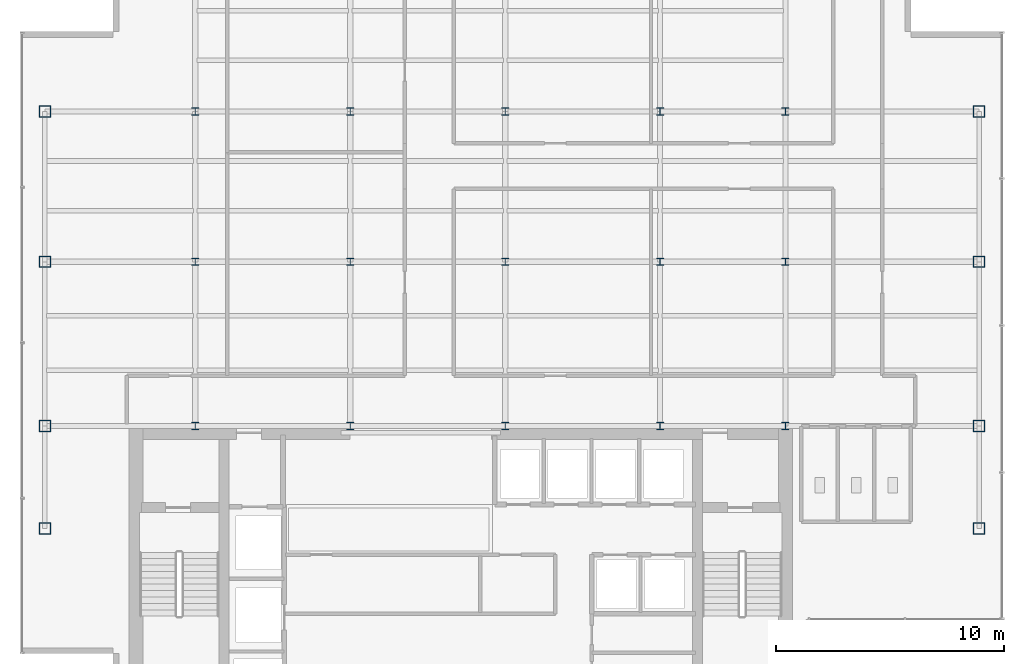
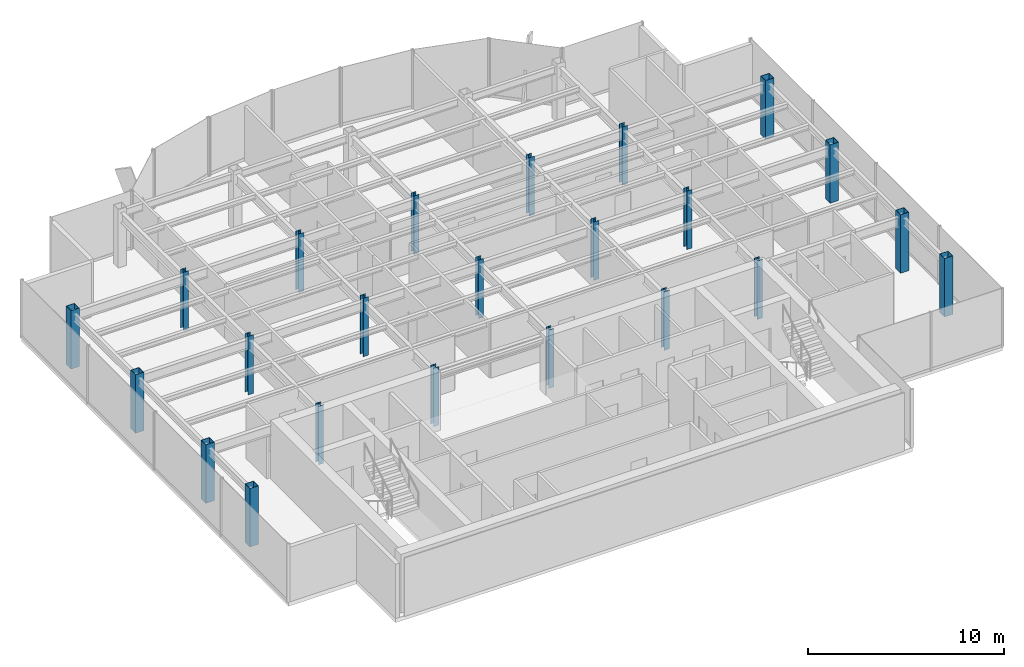
# One storey, part 1 of 22: 23 columns.
"""IFC4 building model written with IfcOpenShell, lengths in metres."""

import ifcopenshell
import ifcopenshell.guid

model = None  # the IFC model being written
_history = None  # IfcOwnerHistory: only IFC2X3 demands one
_inside = {}  # id of a spatial element -> (the spatial element, [elements in it])
_under = {}  # id of a project, library or spatial element -> (it, [spatial elements below it])
_declared = {}  # id of a project -> (the project, [libraries it declares])
_typed = {}  # id of a type object -> (the type object, [elements of that type])
_made_of = {}  # id of a material, layer set ... -> (it, [elements and type objects made of it])


def new_model(schema):
    """Start an empty IFC model of exactly this schema.

    Asked for "IFC4X3", IfcOpenShell would pick the latest addendum, in which some entities
    have other attributes; the version numbers below select the first issue.
    IFC2X3 requires an IfcOwnerHistory on every rooted entity: one is made here for all.
    """
    global model, _history
    if schema == "IFC4X3":
        model = ifcopenshell.file(schema_version=(4, 3, 0, 0))
    else:
        model = ifcopenshell.file(schema=schema)
    _inside.clear()
    _under.clear()
    _declared.clear()
    _typed.clear()
    _made_of.clear()
    _history = None
    if model.schema == "IFC2X3":
        org = make("IfcOrganization", Name="unknown")
        user = make(
            "IfcPersonAndOrganization",
            ThePerson=make("IfcPerson", FamilyName="unknown"),
            TheOrganization=org,
        )
        app = make(
            "IfcApplication",
            ApplicationDeveloper=org,
            Version="unknown",
            ApplicationFullName="unknown",
            ApplicationIdentifier="unknown",
        )
        _history = make(
            "IfcOwnerHistory",
            OwningUser=user,
            OwningApplication=app,
            ChangeAction="ADDED",
            CreationDate=0,
        )
    return model


def make(cls, **values):
    """One entity of the class cls with the attributes given. An attribute that is None is left unset."""
    return model.create_entity(
        cls, **{name: value for name, value in values.items() if value is not None}
    )


def rooted(cls, **values):
    """An entity with a GlobalId (a new one), such as an element, a storey or a relation."""
    return make(cls, GlobalId=ifcopenshell.guid.new(), OwnerHistory=_history, **values)


def si_unit(unit_type, name, prefix=None):
    """IfcSIUnit, for example si_unit("LENGTHUNIT", "METRE", prefix="MILLI")."""
    return make("IfcSIUnit", UnitType=unit_type, Prefix=prefix, Name=name)


def derived_unit(unit_type, elements):
    """IfcDerivedUnit: a product of units, each with its exponent."""
    return make(
        "IfcDerivedUnit",
        Elements=[
            make("IfcDerivedUnitElement", Unit=unit, Exponent=power)
            for unit, power in elements
        ],
        UnitType=unit_type,
    )


def assignment(units):
    """IfcUnitAssignment: the units of a project."""
    return None if units is None else make("IfcUnitAssignment", Units=units)


def point(xyz):
    """IfcCartesianPoint."""
    return None if xyz is None else make("IfcCartesianPoint", Coordinates=xyz)


def direction(xyz):
    """IfcDirection."""
    return None if xyz is None else make("IfcDirection", DirectionRatios=xyz)


def frame(location, z_axis=None, x_axis=None):
    """IfcAxis2Placement3D, a coordinate frame: its origin and axes. An axis left out is left unset."""
    return make(
        "IfcAxis2Placement3D",
        Location=point(location),
        Axis=direction(z_axis),
        RefDirection=direction(x_axis),
    )


def frame_2d(location, x_axis=None):
    """IfcAxis2Placement2D, a coordinate frame in the plane: its origin and x axis."""
    return make(
        "IfcAxis2Placement2D", Location=point(location), RefDirection=direction(x_axis)
    )


def origin():
    """The frame at (0, 0, 0) with its axes left unset."""
    return frame((0.0, 0.0, 0.0))


def origin_2d():
    """The frame at (0, 0) in the plane with its x axis left unset."""
    return frame_2d((0.0, 0.0))


def place(relative_to, where):
    """IfcLocalPlacement: puts the frame where relative to a parent placement (None: the world)."""
    return make(
        "IfcLocalPlacement", PlacementRelTo=relative_to, RelativePlacement=where
    )


def context(
    kind, dimensions, precision=None, world=None, true_north=None, identifier=None
):
    """IfcGeometricRepresentationContext, for example the 3D "Model" context."""
    return make(
        "IfcGeometricRepresentationContext",
        ContextIdentifier=identifier,
        ContextType=kind,
        CoordinateSpaceDimension=dimensions,
        Precision=precision,
        WorldCoordinateSystem=world,
        TrueNorth=true_north,
    )


def subcontext(parent, identifier, kind, view, scale=None):
    """IfcGeometricRepresentationSubContext, for example "Body" below "Model"."""
    return make(
        "IfcGeometricRepresentationSubContext",
        ContextIdentifier=identifier,
        ContextType=kind,
        ParentContext=parent,
        TargetScale=scale,
        TargetView=view,
    )


def project(units=None, contexts=None):
    """IfcProject with its units and contexts."""
    return rooted(
        "IfcProject",
        Name="project",
        RepresentationContexts=contexts,
        UnitsInContext=assignment(units),
    )


def spatial(cls, under=None, at=None, **own):
    """A site, building, storey or space (cls), placed at a placement, below another one or the project."""
    s = rooted(cls, ObjectPlacement=at, **own)
    if under is not None:
        _under.setdefault(under.id(), (under, []))[1].append(s)
    return s


def profile(cls, at=None, kind="AREA", **sizes):
    """A parametric profile (cls). Its sizes go by their IFC names, for example OverallWidth=200.0."""
    return make(cls, ProfileType=kind, Position=at, **sizes)


def hollow_rectangle(**sizes):
    """IfcRectangleHollowProfileDef."""
    return profile("IfcRectangleHollowProfileDef", **sizes)


def i_section(**sizes):
    """IfcIShapeProfileDef."""
    return profile("IfcIShapeProfileDef", **sizes)


def extrude(swept, where, along, depth):
    """IfcExtrudedAreaSolid: the profile swept, set in the frame where, extruded along a direction by depth."""
    return make(
        "IfcExtrudedAreaSolid",
        SweptArea=swept,
        Position=where,
        ExtrudedDirection=direction(along),
        Depth=depth,
    )


def shape(context_of_items, identifier, shape_type, items):
    """IfcShapeRepresentation: the items that make up one representation, for example the "Body"."""
    return make(
        "IfcShapeRepresentation",
        ContextOfItems=context_of_items,
        RepresentationIdentifier=identifier,
        RepresentationType=shape_type,
        Items=items,
    )


def source(mapping_origin, context_of_items, identifier, shape_type, items):
    """IfcRepresentationMap: a shape defined once, which mapped items show again and again."""
    return make(
        "IfcRepresentationMap",
        MappingOrigin=mapping_origin,
        MappedRepresentation=shape(context_of_items, identifier, shape_type, items),
    )


def transform(
    local_origin,
    x_axis=None,
    y_axis=None,
    z_axis=None,
    scale=None,
    scale2=None,
    scale3=None,
    uniform=True,
):
    """IfcCartesianTransformationOperator3D, or its non-uniform kind. x_axis, y_axis, z_axis: its Axis1, 2, 3."""
    if uniform:
        return make(
            "IfcCartesianTransformationOperator3D",
            Axis1=direction(x_axis),
            Axis2=direction(y_axis),
            LocalOrigin=point(local_origin),
            Scale=scale,
            Axis3=direction(z_axis),
        )
    return make(
        "IfcCartesianTransformationOperator3DnonUniform",
        Axis1=direction(x_axis),
        Axis2=direction(y_axis),
        LocalOrigin=point(local_origin),
        Scale=scale,
        Axis3=direction(z_axis),
        Scale2=scale2,
        Scale3=scale3,
    )


def mapped(mapping_source, mapping_target):
    """IfcMappedItem: shows the shape of a source again, moved by a transform."""
    return make(
        "IfcMappedItem", MappingSource=mapping_source, MappingTarget=mapping_target
    )


def material(Name=None, Category=None):
    """IfcMaterial."""
    return make("IfcMaterial", Name=Name, Category=Category)


def material_profile(
    of_material, cross_section, Name=None, Category=None, Priority=None
):
    """IfcMaterialProfile: a cross section and its material."""
    return make(
        "IfcMaterialProfile",
        Name=Name,
        Material=of_material,
        Profile=cross_section,
        Priority=Priority,
        Category=Category,
    )


def profile_set(profiles, Name=None, composite=None):
    """IfcMaterialProfileSet."""
    return make(
        "IfcMaterialProfileSet",
        Name=Name,
        MaterialProfiles=profiles,
        CompositeProfile=composite,
    )


def made_of(thing, what):
    """Note that an element or type object is made of a material, layer set ...; save() writes the relation."""
    if what is not None:
        _made_of.setdefault(what.id(), (what, []))[1].append(thing)
    return thing


def type_object(cls, material=None, **own):
    """A type object (cls), such as IfcWallType, which elements share."""
    return made_of(rooted(cls, **own), material)


def element(
    cls,
    number,
    at=None,
    inside=None,
    cuts=None,
    type_object=None,
    material=None,
    context=None,
    identifier="Body",
    shape_type=None,
    held_by="IfcProductDefinitionShape",
    body=None,
    shapes=None,
    **own,
):
    """One element of the class cls, such as IfcWall. Its Tag is "e" and its number.

    at: its placement. inside: the storey or other place that contains it. cuts: it is an
    opening in that element (IfcRelVoidsElement). A single representation is given by context,
    identifier, shape_type and body (its items); several are given by shapes. held_by: the class
    of the entity that holds the representations. save() writes the other relations.
    """
    e = rooted(cls, Tag="e%d" % number, ObjectPlacement=at, **own)
    if body is not None:
        shapes = [shape(context, identifier, shape_type, body)]
    if shapes is not None:
        e.Representation = make(held_by, Representations=shapes)
    if inside is not None:
        _inside.setdefault(inside.id(), (inside, []))[1].append(e)
    if cuts is not None:
        rooted(
            "IfcRelVoidsElement", RelatingBuildingElement=cuts, RelatedOpeningElement=e
        )
    if type_object is not None:
        _typed.setdefault(type_object.id(), (type_object, []))[1].append(e)
    return made_of(e, material)


def aggregate(whole, parts):
    """IfcRelAggregates: a whole, such as a stair, and the parts it consists of."""
    return rooted("IfcRelAggregates", RelatingObject=whole, RelatedObjects=parts)


def save(model, path):
    """Write the relations noted so far, then the file.

    IfcRelAggregates (storeys below a building ...), IfcRelContainedInSpatialStructure (elements
    in a storey), IfcRelDefinesByType, IfcRelAssociatesMaterial and IfcRelDeclares: one each for
    every whole, place, type object, material and project.
    """
    for whole, parts in _under.values():
        aggregate(whole, parts)
    for where, things in _inside.values():
        rooted(
            "IfcRelContainedInSpatialStructure",
            RelatedElements=things,
            RelatingStructure=where,
        )
    for kind, things in _typed.values():
        rooted("IfcRelDefinesByType", RelatedObjects=things, RelatingType=kind)
    for what, things in _made_of.values():
        rooted("IfcRelAssociatesMaterial", RelatedObjects=things, RelatingMaterial=what)
    for by, libraries in _declared.values():
        rooted("IfcRelDeclares", RelatingContext=by, RelatedDefinitions=libraries)
    model.write(path)


model = new_model("IFC4")

# Units and contexts
model_context = context("Model", 3, precision=1e-05, world=origin(), true_north=direction((0.0, 1.0)))
body_context = subcontext(model_context, "Body", "Model", "MODEL_VIEW")
ifc_project = project(units=[si_unit("LENGTHUNIT", "METRE"), si_unit("AREAUNIT", "SQUARE_METRE"), si_unit("VOLUMEUNIT", "CUBIC_METRE"), si_unit("PLANEANGLEUNIT", "RADIAN"), si_unit("MASSUNIT", "GRAM", prefix="KILO"), derived_unit("THERMALTRANSMITTANCEUNIT", [(si_unit("POWERUNIT", "WATT"), 1), (si_unit("LENGTHUNIT", "METRE"), -2), (si_unit("THERMODYNAMICTEMPERATUREUNIT", "KELVIN"), -1)])], contexts=[model_context])

# Site, building, storey
site_placement = place(None, origin())
site = spatial("IfcSite", under=ifc_project, at=site_placement, CompositionType="ELEMENT")
building_placement = place(site_placement, origin())
building = spatial("IfcBuilding", under=site, at=building_placement, Name="Skarnbrae Concourse Arena and Tower", CompositionType="ELEMENT")
storey_placement = place(building_placement, frame((0.0, 0.0, 258.800048828125)))
storey = spatial("IfcBuildingStorey", under=building, at=storey_placement, Name="L67", CompositionType="ELEMENT", Elevation=258.800048828125)

# Columns
ifc_material = material(Name="Steel CSA G40.21 350W", Category="steel")
ifc_material_profile_1 = material_profile(ifc_material, hollow_rectangle(XDim=0.5, YDim=0.5, WallThickness=0.02197265625, at=origin_2d()), Name="HSS500X500X22.0")
ifc_profile_set_1 = profile_set([ifc_material_profile_1], Name="Steel CSA G40.21 350W")
column_type_1 = type_object("IfcColumnType", Name="COL-TUBE-HSS500", PredefinedType="COLUMN", material=ifc_profile_set_1)
shared_shape_1 = source(origin(), body_context, "Body", "SweptSolid", [
    extrude(hollow_rectangle(XDim=0.5, YDim=0.5, WallThickness=0.02197265625, at=origin_2d()), origin(), (0.0, 0.0, 1.0), 3.64990234375),
])
for number, where, z_axis, x_axis, name in (
    (1, (1.0, 9.5, 0.0), (0.0, 0.0, 1.0), (1.0, 0.0, 0.0), "L67 Tower column PC_01_01"),
    (2, (1.0, 14.0, 0.0), (0.0, 0.0, 1.0), (1.0, 0.0, 0.0), "L67 Tower column PC_01_02"),
    (3, (1.0, 21.199951171875, 0.0), (0.0, 0.0, 1.0), (1.0, 0.0, 0.0), "L67 Tower column PC_01_03"),
    (4, (1.0, 27.800048828125, 0.0), (0.0, 0.0, 1.0), (1.0, 0.0, 0.0), "L67 Tower column PC_01_04"),
    (5, (42.0, 9.5, 0.0), (0.0, 0.0, 1.0), (1.0, 0.0, 0.0), "L67 Tower column PC_07_01"),
    (6, (42.0, 14.0, 0.0), (0.0, 0.0, 1.0), (1.0, 0.0, 0.0), "L67 Tower column PC_07_02"),
    (7, (42.0, 21.199951171875, 0.0), (0.0, 0.0, 1.0), (1.0, 0.0, 0.0), "L67 Tower column PC_07_03"),
    (8, (42.0, 27.800048828125, 0.0), (0.0, 0.0, 1.0), (1.0, 0.0, 0.0), "L67 Tower column PC_07_04"),
):
    element("IfcColumn", number, at=place(storey_placement, frame(where, z_axis=z_axis, x_axis=x_axis)), inside=storey, type_object=column_type_1, Name=name, PredefinedType="COLUMN", context=body_context, shape_type="MappedRepresentation", body=[
        mapped(shared_shape_1, transform((0.0, 0.0, 0.0))),
    ])
ifc_material_profile_2 = material_profile(ifc_material, i_section(OverallWidth=0.30908203125, OverallDepth=0.322998046875, WebThickness=0.013916015625, FlangeThickness=0.02294921875, at=origin_2d()), Name="W310X143")
ifc_profile_set_2 = profile_set([ifc_material_profile_2], Name="Steel CSA G40.21 350W")
column_type_2 = type_object("IfcColumnType", Name="COL-INT-W310X143", PredefinedType="COLUMN", material=ifc_profile_set_2)
shared_shape_2 = source(origin(), body_context, "Body", "SweptSolid", [
    extrude(i_section(OverallWidth=0.30908203125, OverallDepth=0.322998046875, WebThickness=0.013916015625, FlangeThickness=0.02294921875, at=origin_2d()), origin(), (0.0, 0.0, 1.0), 3.64990234375),
])
for number, where, z_axis, x_axis, name in (
    (9, (7.60009765625, 14.0, 0.0), (0.0, 0.0, 1.0), (1.0, 0.0, 0.0), "L67 Tower column IC_02_02"),
    (10, (7.60009765625, 21.199951171875, 0.0), (0.0, 0.0, 1.0), (1.0, 0.0, 0.0), "L67 Tower column IC_02_03"),
    (11, (7.60009765625, 27.800048828125, 0.0), (0.0, 0.0, 1.0), (1.0, 0.0, 0.0), "L67 Tower column IC_02_04"),
    (12, (14.39990234375, 14.0, 0.0), (0.0, 0.0, 1.0), (1.0, 0.0, 0.0), "L67 Tower column IC_03_02"),
    (13, (14.39990234375, 21.199951171875, 0.0), (0.0, 0.0, 1.0), (1.0, 0.0, 0.0), "L67 Tower column IC_03_03"),
    (14, (14.39990234375, 27.800048828125, 0.0), (0.0, 0.0, 1.0), (1.0, 0.0, 0.0), "L67 Tower column IC_03_04"),
    (15, (21.199951171875, 14.0, 0.0), (0.0, 0.0, 1.0), (1.0, 0.0, 0.0), "L67 Tower column IC_04_02"),
    (16, (21.199951171875, 21.199951171875, 0.0), (0.0, 0.0, 1.0), (1.0, 0.0, 0.0), "L67 Tower column IC_04_03"),
    (17, (21.199951171875, 27.800048828125, 0.0), (0.0, 0.0, 1.0), (1.0, 0.0, 0.0), "L67 Tower column IC_04_04"),
    (18, (28.0, 14.0, 0.0), (0.0, 0.0, 1.0), (1.0, 0.0, 0.0), "L67 Tower column IC_05_02"),
    (19, (28.0, 21.199951171875, 0.0), (0.0, 0.0, 1.0), (1.0, 0.0, 0.0), "L67 Tower column IC_05_03"),
    (20, (28.0, 27.800048828125, 0.0), (0.0, 0.0, 1.0), (1.0, 0.0, 0.0), "L67 Tower column IC_05_04"),
    (21, (33.5, 14.0, 0.0), (0.0, 0.0, 1.0), (1.0, 0.0, 0.0), "L67 Tower column IC_06_02"),
    (22, (33.5, 21.199951171875, 0.0), (0.0, 0.0, 1.0), (1.0, 0.0, 0.0), "L67 Tower column IC_06_03"),
    (23, (33.5, 27.800048828125, 0.0), (0.0, 0.0, 1.0), (1.0, 0.0, 0.0), "L67 Tower column IC_06_04"),
):
    element("IfcColumn", number, at=place(storey_placement, frame(where, z_axis=z_axis, x_axis=x_axis)), inside=storey, type_object=column_type_2, Name=name, PredefinedType="COLUMN", context=body_context, shape_type="MappedRepresentation", body=[
        mapped(shared_shape_2, transform((0.0, 0.0, 0.0))),
    ])

save(model, "model.ifc")
